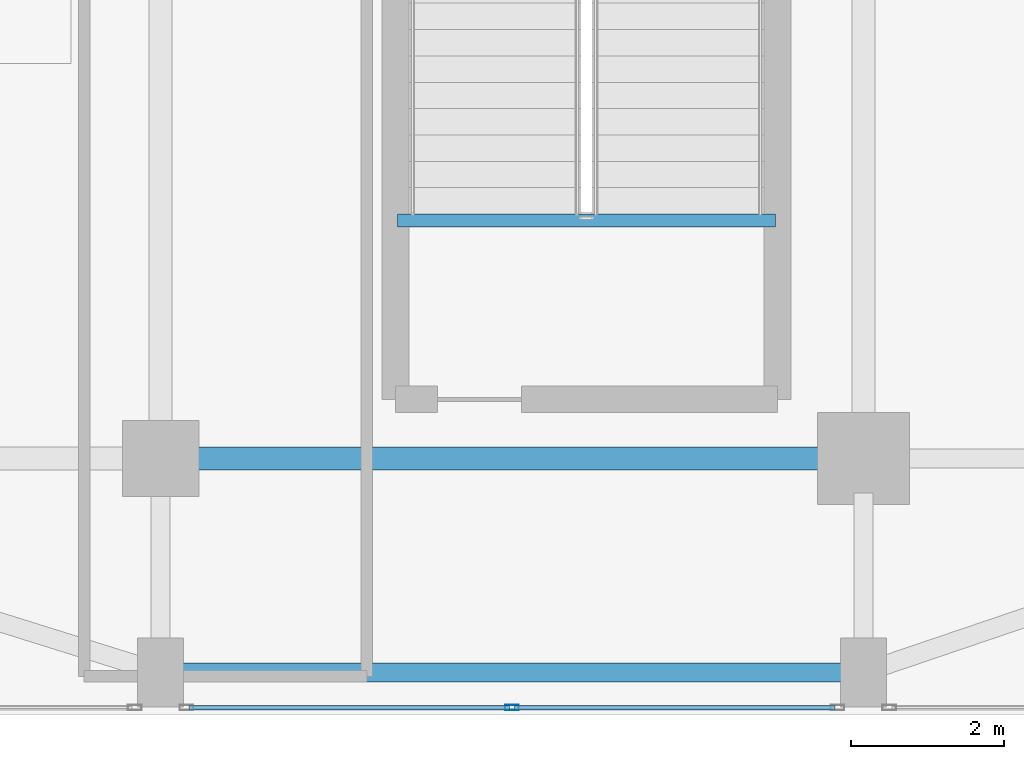
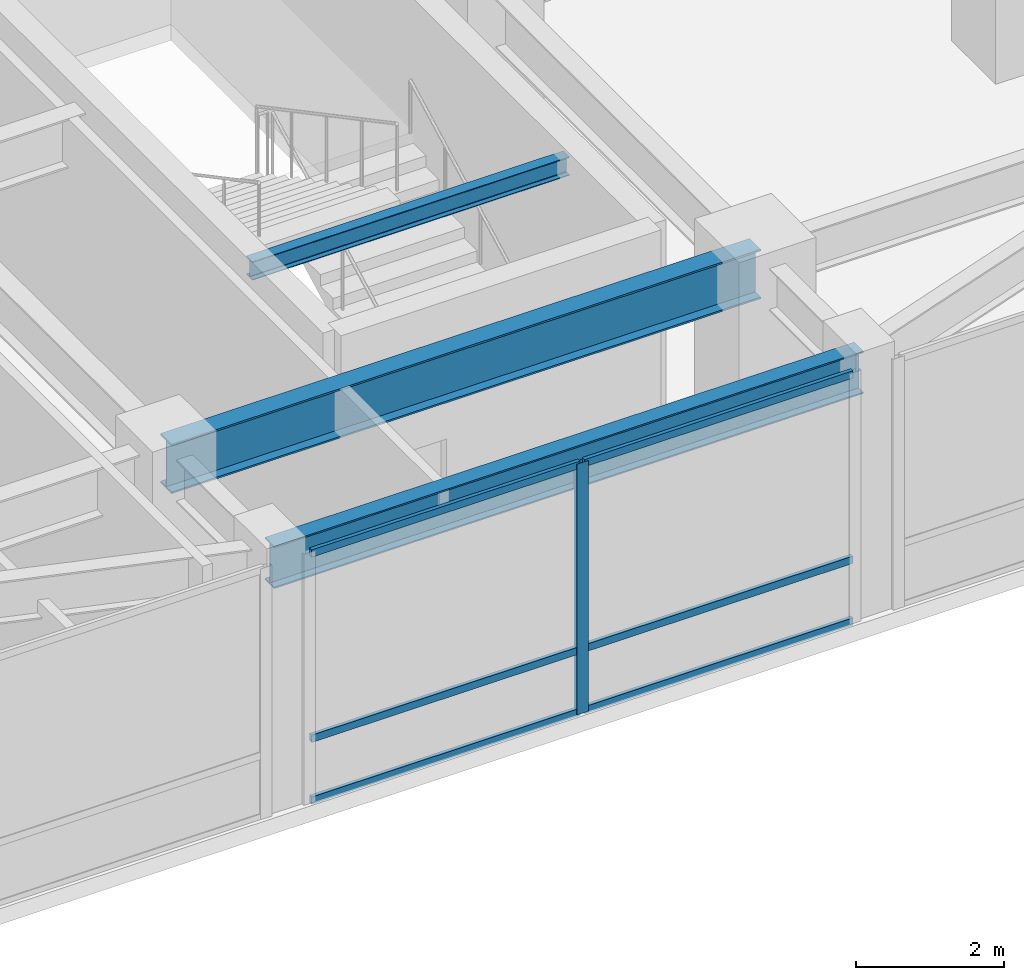
# One storey, part 14 of 27: 7 members, 3 beams, 1 element without a shape of its own.
"""IFC4 building model written with IfcOpenShell, lengths in metres."""

from ifc_helpers import new_model, si_unit, direction, frame, origin, origin_2d, place, context, subcontext, project, spatial, hollow_rectangle, i_section, extrude, source, transform, mapped, material, layer, layer_set, material_profile, profile_set, type_object, type_shapes, element, aggregate, save


model = new_model("IFC4")

# Units and contexts
model_context = context("Model", 3, precision=1e-05, world=origin(), true_north=direction((0.0, 1.0)))
body_context = subcontext(model_context, "Body", "Model", "MODEL_VIEW")
ifc_project = project(units=[si_unit("LENGTHUNIT", "METRE"), si_unit("AREAUNIT", "SQUARE_METRE"), si_unit("VOLUMEUNIT", "CUBIC_METRE"), si_unit("PLANEANGLEUNIT", "RADIAN"), si_unit("MASSUNIT", "GRAM", prefix="KILO")], contexts=[model_context])

# Site, building, storey
site_placement = place(None, origin())
site = spatial("IfcSite", under=ifc_project, at=site_placement, CompositionType="ELEMENT")
building_placement = place(site_placement, origin())
building = spatial("IfcBuilding", under=site, at=building_placement, Name="Tolvann Quenvar Hotel", CompositionType="ELEMENT")
storey_placement = place(building_placement, frame((0.0, 0.0, 22.39990234375)))
storey = spatial("IfcBuildingStorey", under=building, at=storey_placement, Name="L04", CompositionType="ELEMENT", Elevation=22.39990234375)

# Beams
ifc_material_1 = material(Name="Steel Grade 350", Category="steel")
ifc_material_profile_1 = material_profile(ifc_material_1, i_section(OverallWidth=0.300048828125, OverallDepth=0.81591796875, WebThickness=0.010009765625, FlangeThickness=0.028076171875, at=origin_2d()), Name="800WB192")
ifc_profile_set_1 = profile_set([ifc_material_profile_1], Name="Steel Grade 350")
beam_type_1 = type_object("IfcBeamType", Name="BM_GIRD_800WB192", PredefinedType="BEAM", material=ifc_profile_set_1)
shared_shape_1 = source(origin(), body_context, "Body", "SweptSolid", [
    extrude(i_section(OverallWidth=0.300048828125, OverallDepth=0.81591796875, WebThickness=0.010009765625, FlangeThickness=0.028076171875, at=origin_2d()), origin(), (0.0, 0.0, 1.0), 9.199951171875),
])
type_shapes(beam_type_1, [shared_shape_1])
beam_1_placement = place(storey_placement, frame((47.199951171875, 0.85009765625, 3.732177734375), z_axis=(1.0, 0.0, 0.0), x_axis=(0.0, 1.0, 0.0)))
element("IfcBeam", 1, at=beam_1_placement, inside=storey, type_object=beam_type_1, Name="BM-L04-GE2-1", PredefinedType="BEAM", context=body_context, shape_type="MappedRepresentation", body=[
    mapped(shared_shape_1, transform((0.0, 0.0, 0.0), x_axis=(1.0, 0.0, 0.0), y_axis=(0.0, 1.0, 0.0), z_axis=(0.0, 0.0, 1.0), scale=1.0)),
])
ifc_material_profile_2 = material_profile(ifc_material_1, i_section(OverallWidth=0.25, OverallDepth=0.699951171875, WebThickness=0.010009765625, FlangeThickness=0.02392578125, at=origin_2d()), Name="700WB150")
ifc_profile_set_2 = profile_set([ifc_material_profile_2], Name="Steel Grade 350")
beam_type_2 = type_object("IfcBeamType", Name="BM_GIRD_700WB150", PredefinedType="BEAM", material=ifc_profile_set_2)
shared_shape_2 = source(origin(), body_context, "Body", "SweptSolid", [
    extrude(i_section(OverallWidth=0.25, OverallDepth=0.699951171875, WebThickness=0.010009765625, FlangeThickness=0.02392578125, at=origin_2d()), origin(), (0.0, 0.0, 1.0), 9.199951171875),
])
type_shapes(beam_type_2, [shared_shape_2])
beam_2_placement = place(storey_placement, frame((47.199951171875, -1.949951171875, 3.7900390625), z_axis=(1.0, 0.0, 0.0), x_axis=(0.0, 1.0, 0.0)))
element("IfcBeam", 2, at=beam_2_placement, inside=storey, type_object=beam_type_2, Name="BM-L04-EWS-E1", PredefinedType="BEAM", context=body_context, shape_type="MappedRepresentation", body=[
    mapped(shared_shape_2, transform((0.0, 0.0, 0.0), x_axis=(1.0, 0.0, 0.0), y_axis=(0.0, 1.0, 0.0), z_axis=(0.0, 0.0, 1.0), scale=1.0)),
])
ifc_material_profile_3 = material_profile(ifc_material_1, i_section(OverallWidth=0.166015625, OverallDepth=0.306884765625, WebThickness=0.006591796875, FlangeThickness=0.01171875, FilletRadius=0.011474609375, at=origin_2d()), Name="310UB46")
ifc_profile_set_3 = profile_set([ifc_material_profile_3], Name="Steel Grade 350")
beam_type_3 = type_object("IfcBeamType", Name="BM_JOIST_310UB46", PredefinedType="JOIST", material=ifc_profile_set_3)
shared_shape_3 = source(origin(), body_context, "Body", "SweptSolid", [
    extrude(i_section(OverallWidth=0.166015625, OverallDepth=0.306884765625, WebThickness=0.006591796875, FlangeThickness=0.01171875, FilletRadius=0.011474609375, at=origin_2d()), origin(), (0.0, 0.0, 1.0), 4.949951171875),
])
type_shapes(beam_type_3, [shared_shape_3])
beam_3_placement = place(storey_placement, frame((50.300048828125, 3.965087890625, 3.986572265625), z_axis=(1.0, 0.0, 0.0), x_axis=(0.0, 1.0, 0.0)))
element("IfcBeam", 3, at=beam_3_placement, inside=storey, type_object=beam_type_3, Name="BM-HDR-ST-P3-L05", PredefinedType="JOIST", context=body_context, shape_type="MappedRepresentation", body=[
    mapped(shared_shape_3, transform((0.0, 0.0, 0.0), x_axis=(1.0, 0.0, 0.0), y_axis=(0.0, 1.0, 0.0), z_axis=(0.0, 0.0, 1.0), scale=1.0)),
])

# Curtain wall, members
ifc_material_2 = material(Name="Thermally broken anodised architectural aluminium 6063-T6 and laminated low-E glass", Category="aluminium")
ifc_layer = layer(ifc_material_2, 0.179931640625)
ifc_layer_set = layer_set([ifc_layer], Name="Thermally broken anodised architectural aluminium 6063-T6 and laminated low-E glass")
curtain_wall_type = type_object("IfcCurtainWallType", Name="CW_SYS_BALL_02", PredefinedType="USERDEFINED", material=ifc_layer_set)
curtain_wall_placement = place(storey_placement, origin())
curtain_wall = element("IfcCurtainWall", 4, at=curtain_wall_placement, inside=storey, type_object=curtain_wall_type, Name="Curtain Wall CW-BALL-02 (CWR-L04-E04-S4)", ObjectType="UNITISED CURTAIN WALL", PredefinedType="USERDEFINED")
ifc_material_3 = material(Name="Anodised architectural aluminium 6063-T6 framing", Category="aluminium")
ifc_material_profile_4 = material_profile(ifc_material_3, hollow_rectangle(XDim=0.06005859375, YDim=0.1201171875, WallThickness=0.00341796875, at=origin_2d()), Name="120x60x3.5RHS")
ifc_profile_set_4 = profile_set([ifc_material_profile_4], Name="Anodised architectural aluminium 6063-T6 framing")
member_type_1 = type_object("IfcMemberType", Name="CW_TRAN_120x60", PredefinedType="USERDEFINED", material=ifc_profile_set_4)
shared_shape_4 = source(origin(), body_context, "Body", "SweptSolid", [
    extrude(hollow_rectangle(XDim=0.06005859375, YDim=0.1201171875, WallThickness=0.00341796875, at=origin_2d()), origin(), (0.0, 0.0, 1.0), 4.19091796875),
])
type_shapes(member_type_1, [shared_shape_4])
member_1_placement = place(storey_placement, frame((47.573974609375, -2.409912109375, 0.030029296875), z_axis=(1.0, 0.0, 0.0), x_axis=(0.0, 1.0, 0.0)))
member_1 = element("IfcMember", 5, at=member_1_placement, type_object=member_type_1, Name="CW-BALL-02 transom 1.1", ObjectType="TRANSOM", PredefinedType="USERDEFINED", context=body_context, shape_type="MappedRepresentation", body=[
    mapped(shared_shape_4, transform((0.0, 0.0, 0.0), x_axis=(1.0, 0.0, 0.0), y_axis=(0.0, 1.0, 0.0), z_axis=(0.0, 0.0, 1.0), scale=1.0)),
])
member_2_placement = place(storey_placement, frame((47.573974609375, -2.409912109375, 1.050048828125), z_axis=(1.0, 0.0, 0.0), x_axis=(0.0, 1.0, 0.0)))
member_2 = element("IfcMember", 6, at=member_2_placement, type_object=member_type_1, Name="CW-BALL-02 transom 1.2", ObjectType="TRANSOM", PredefinedType="USERDEFINED", context=body_context, shape_type="MappedRepresentation", body=[
    mapped(shared_shape_4, transform((0.0, 0.0, 0.0), x_axis=(1.0, 0.0, 0.0), y_axis=(0.0, 1.0, 0.0), z_axis=(0.0, 0.0, 1.0), scale=1.0)),
])
member_3_placement = place(storey_placement, frame((47.573974609375, -2.409912109375, 4.110107421875), z_axis=(1.0, 0.0, 0.0), x_axis=(0.0, 1.0, 0.0)))
member_3 = element("IfcMember", 7, at=member_3_placement, type_object=member_type_1, Name="CW-BALL-02 transom 1.3", ObjectType="TRANSOM", PredefinedType="USERDEFINED", context=body_context, shape_type="MappedRepresentation", body=[
    mapped(shared_shape_4, transform((0.0, 0.0, 0.0), x_axis=(1.0, 0.0, 0.0), y_axis=(0.0, 1.0, 0.0), z_axis=(0.0, 0.0, 1.0), scale=1.0)),
])
member_4_placement = place(storey_placement, frame((51.8349609375, -2.409912109375, 0.030029296875), z_axis=(1.0, 0.0, 0.0), x_axis=(0.0, 1.0, 0.0)))
member_4 = element("IfcMember", 8, at=member_4_placement, type_object=member_type_1, Name="CW-BALL-02 transom 2.1", ObjectType="TRANSOM", PredefinedType="USERDEFINED", context=body_context, shape_type="MappedRepresentation", body=[
    mapped(shared_shape_4, transform((0.0, 0.0, 0.0), x_axis=(1.0, 0.0, 0.0), y_axis=(0.0, 1.0, 0.0), z_axis=(0.0, 0.0, 1.0), scale=1.0)),
])
member_5_placement = place(storey_placement, frame((51.8349609375, -2.409912109375, 1.050048828125), z_axis=(1.0, 0.0, 0.0), x_axis=(0.0, 1.0, 0.0)))
member_5 = element("IfcMember", 9, at=member_5_placement, type_object=member_type_1, Name="CW-BALL-02 transom 2.2", ObjectType="TRANSOM", PredefinedType="USERDEFINED", context=body_context, shape_type="MappedRepresentation", body=[
    mapped(shared_shape_4, transform((0.0, 0.0, 0.0), x_axis=(1.0, 0.0, 0.0), y_axis=(0.0, 1.0, 0.0), z_axis=(0.0, 0.0, 1.0), scale=1.0)),
])
member_6_placement = place(storey_placement, frame((51.8349609375, -2.409912109375, 4.110107421875), z_axis=(1.0, 0.0, 0.0), x_axis=(0.0, 1.0, 0.0)))
member_6 = element("IfcMember", 10, at=member_6_placement, type_object=member_type_1, Name="CW-BALL-02 transom 2.3", ObjectType="TRANSOM", PredefinedType="USERDEFINED", context=body_context, shape_type="MappedRepresentation", body=[
    mapped(shared_shape_4, transform((0.0, 0.0, 0.0), x_axis=(1.0, 0.0, 0.0), y_axis=(0.0, 1.0, 0.0), z_axis=(0.0, 0.0, 1.0), scale=1.0)),
])
ifc_material_profile_5 = material_profile(ifc_material_3, hollow_rectangle(XDim=0.070068359375, YDim=0.179931640625, WallThickness=0.00390625, at=origin_2d()), Name="180x70x4RHS")
ifc_profile_set_5 = profile_set([ifc_material_profile_5], Name="Anodised architectural aluminium 6063-T6 framing")
member_type_2 = type_object("IfcMemberType", Name="CW_MULL_180x70", PredefinedType="MULLION", material=ifc_profile_set_5)
shared_shape_5 = source(origin(), body_context, "Body", "SweptSolid", [
    extrude(hollow_rectangle(XDim=0.070068359375, YDim=0.179931640625, WallThickness=0.00390625, at=origin_2d()), origin(), (0.0, 0.0, 1.0), 4.14013671875),
])
type_shapes(member_type_2, [shared_shape_5])
member_7_placement = place(storey_placement, frame((51.800048828125, -2.409912109375, 0.0), z_axis=(0.0, 0.0, 1.0), x_axis=(0.0, 1.0, 0.0)))
member_7 = element("IfcMember", 11, at=member_7_placement, type_object=member_type_2, Name="CW-BALL-02 mullion 2", PredefinedType="MULLION", context=body_context, shape_type="MappedRepresentation", body=[
    mapped(shared_shape_5, transform((0.0, 0.0, 0.0), x_axis=(1.0, 0.0, 0.0), y_axis=(0.0, 1.0, 0.0), z_axis=(0.0, 0.0, 1.0), scale=1.0)),
])
aggregate(curtain_wall, [member_7, member_1, member_2, member_3, member_4, member_5, member_6])

save(model, "model.ifc")
